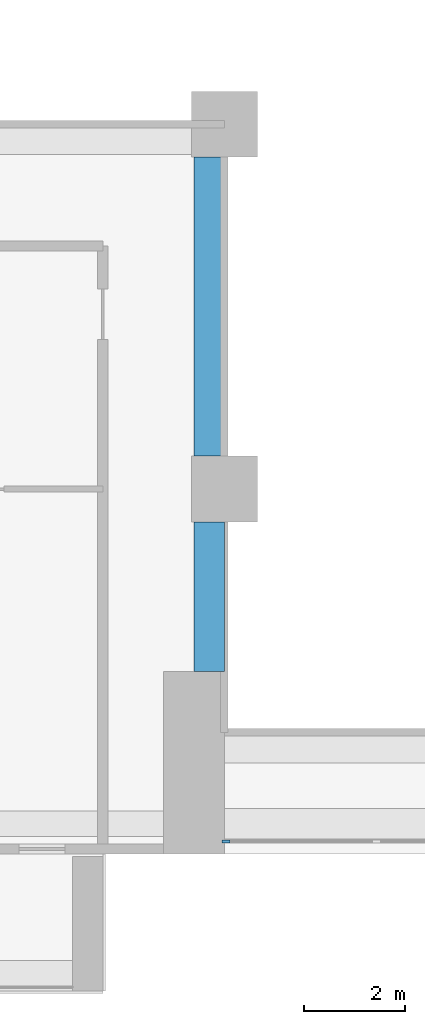
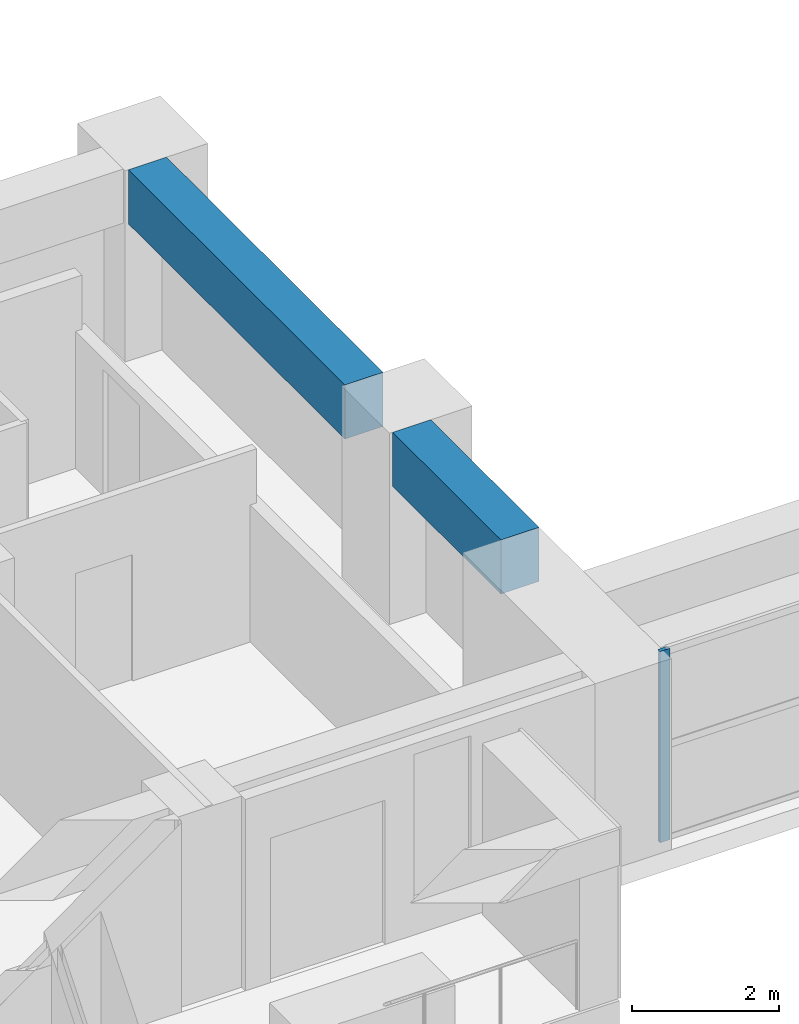
# One storey, part 2 of 17: 2 beams, 1 member, 1 element without a shape of its own.
"""IFC4 building model written with IfcOpenShell, lengths in metres."""

import ifcopenshell
import ifcopenshell.guid

model = None  # the IFC model being written
_history = None  # IfcOwnerHistory: only IFC2X3 demands one
_inside = {}  # id of a spatial element -> (the spatial element, [elements in it])
_under = {}  # id of a project, library or spatial element -> (it, [spatial elements below it])
_declared = {}  # id of a project -> (the project, [libraries it declares])
_typed = {}  # id of a type object -> (the type object, [elements of that type])
_made_of = {}  # id of a material, layer set ... -> (it, [elements and type objects made of it])


def new_model(schema):
    """Start an empty IFC model of exactly this schema.

    Asked for "IFC4X3", IfcOpenShell would pick the latest addendum, in which some entities
    have other attributes; the version numbers below select the first issue.
    IFC2X3 requires an IfcOwnerHistory on every rooted entity: one is made here for all.
    """
    global model, _history
    if schema == "IFC4X3":
        model = ifcopenshell.file(schema_version=(4, 3, 0, 0))
    else:
        model = ifcopenshell.file(schema=schema)
    _inside.clear()
    _under.clear()
    _declared.clear()
    _typed.clear()
    _made_of.clear()
    _history = None
    if model.schema == "IFC2X3":
        org = make("IfcOrganization", Name="unknown")
        user = make(
            "IfcPersonAndOrganization",
            ThePerson=make("IfcPerson", FamilyName="unknown"),
            TheOrganization=org,
        )
        app = make(
            "IfcApplication",
            ApplicationDeveloper=org,
            Version="unknown",
            ApplicationFullName="unknown",
            ApplicationIdentifier="unknown",
        )
        _history = make(
            "IfcOwnerHistory",
            OwningUser=user,
            OwningApplication=app,
            ChangeAction="ADDED",
            CreationDate=0,
        )
    return model


def make(cls, **values):
    """One entity of the class cls with the attributes given. An attribute that is None is left unset."""
    return model.create_entity(
        cls, **{name: value for name, value in values.items() if value is not None}
    )


def rooted(cls, **values):
    """An entity with a GlobalId (a new one), such as an element, a storey or a relation."""
    return make(cls, GlobalId=ifcopenshell.guid.new(), OwnerHistory=_history, **values)


def si_unit(unit_type, name, prefix=None):
    """IfcSIUnit, for example si_unit("LENGTHUNIT", "METRE", prefix="MILLI")."""
    return make("IfcSIUnit", UnitType=unit_type, Prefix=prefix, Name=name)


def assignment(units):
    """IfcUnitAssignment: the units of a project."""
    return None if units is None else make("IfcUnitAssignment", Units=units)


def point(xyz):
    """IfcCartesianPoint."""
    return None if xyz is None else make("IfcCartesianPoint", Coordinates=xyz)


def direction(xyz):
    """IfcDirection."""
    return None if xyz is None else make("IfcDirection", DirectionRatios=xyz)


def frame(location, z_axis=None, x_axis=None):
    """IfcAxis2Placement3D, a coordinate frame: its origin and axes. An axis left out is left unset."""
    return make(
        "IfcAxis2Placement3D",
        Location=point(location),
        Axis=direction(z_axis),
        RefDirection=direction(x_axis),
    )


def frame_2d(location, x_axis=None):
    """IfcAxis2Placement2D, a coordinate frame in the plane: its origin and x axis."""
    return make(
        "IfcAxis2Placement2D", Location=point(location), RefDirection=direction(x_axis)
    )


def origin():
    """The frame at (0, 0, 0) with its axes left unset."""
    return frame((0.0, 0.0, 0.0))


def origin_2d():
    """The frame at (0, 0) in the plane with its x axis left unset."""
    return frame_2d((0.0, 0.0))


def place(relative_to, where):
    """IfcLocalPlacement: puts the frame where relative to a parent placement (None: the world)."""
    return make(
        "IfcLocalPlacement", PlacementRelTo=relative_to, RelativePlacement=where
    )


def context(
    kind, dimensions, precision=None, world=None, true_north=None, identifier=None
):
    """IfcGeometricRepresentationContext, for example the 3D "Model" context."""
    return make(
        "IfcGeometricRepresentationContext",
        ContextIdentifier=identifier,
        ContextType=kind,
        CoordinateSpaceDimension=dimensions,
        Precision=precision,
        WorldCoordinateSystem=world,
        TrueNorth=true_north,
    )


def subcontext(parent, identifier, kind, view, scale=None):
    """IfcGeometricRepresentationSubContext, for example "Body" below "Model"."""
    return make(
        "IfcGeometricRepresentationSubContext",
        ContextIdentifier=identifier,
        ContextType=kind,
        ParentContext=parent,
        TargetScale=scale,
        TargetView=view,
    )


def project(units=None, contexts=None):
    """IfcProject with its units and contexts."""
    return rooted(
        "IfcProject",
        Name="project",
        RepresentationContexts=contexts,
        UnitsInContext=assignment(units),
    )


def spatial(cls, under=None, at=None, **own):
    """A site, building, storey or space (cls), placed at a placement, below another one or the project."""
    s = rooted(cls, ObjectPlacement=at, **own)
    if under is not None:
        _under.setdefault(under.id(), (under, []))[1].append(s)
    return s


def profile(cls, at=None, kind="AREA", **sizes):
    """A parametric profile (cls). Its sizes go by their IFC names, for example OverallWidth=200.0."""
    return make(cls, ProfileType=kind, Position=at, **sizes)


def rectangle(**sizes):
    """IfcRectangleProfileDef."""
    return profile("IfcRectangleProfileDef", **sizes)


def extrude(swept, where, along, depth):
    """IfcExtrudedAreaSolid: the profile swept, set in the frame where, extruded along a direction by depth."""
    return make(
        "IfcExtrudedAreaSolid",
        SweptArea=swept,
        Position=where,
        ExtrudedDirection=direction(along),
        Depth=depth,
    )


def shape(context_of_items, identifier, shape_type, items):
    """IfcShapeRepresentation: the items that make up one representation, for example the "Body"."""
    return make(
        "IfcShapeRepresentation",
        ContextOfItems=context_of_items,
        RepresentationIdentifier=identifier,
        RepresentationType=shape_type,
        Items=items,
    )


def source(mapping_origin, context_of_items, identifier, shape_type, items):
    """IfcRepresentationMap: a shape defined once, which mapped items show again and again."""
    return make(
        "IfcRepresentationMap",
        MappingOrigin=mapping_origin,
        MappedRepresentation=shape(context_of_items, identifier, shape_type, items),
    )


def transform(
    local_origin,
    x_axis=None,
    y_axis=None,
    z_axis=None,
    scale=None,
    scale2=None,
    scale3=None,
    uniform=True,
):
    """IfcCartesianTransformationOperator3D, or its non-uniform kind. x_axis, y_axis, z_axis: its Axis1, 2, 3."""
    if uniform:
        return make(
            "IfcCartesianTransformationOperator3D",
            Axis1=direction(x_axis),
            Axis2=direction(y_axis),
            LocalOrigin=point(local_origin),
            Scale=scale,
            Axis3=direction(z_axis),
        )
    return make(
        "IfcCartesianTransformationOperator3DnonUniform",
        Axis1=direction(x_axis),
        Axis2=direction(y_axis),
        LocalOrigin=point(local_origin),
        Scale=scale,
        Axis3=direction(z_axis),
        Scale2=scale2,
        Scale3=scale3,
    )


def mapped(mapping_source, mapping_target):
    """IfcMappedItem: shows the shape of a source again, moved by a transform."""
    return make(
        "IfcMappedItem", MappingSource=mapping_source, MappingTarget=mapping_target
    )


def material(Name=None, Category=None):
    """IfcMaterial."""
    return make("IfcMaterial", Name=Name, Category=Category)


def layer(
    of_material, thickness, ventilated=None, Name=None, Category=None, Priority=None
):
    """IfcMaterialLayer: one layer of a wall or slab, of a material (None: an air gap)."""
    return make(
        "IfcMaterialLayer",
        Material=of_material,
        LayerThickness=thickness,
        IsVentilated=ventilated,
        Name=Name,
        Category=Category,
        Priority=Priority,
    )


def layer_set(layers, Name=None):
    """IfcMaterialLayerSet."""
    return make("IfcMaterialLayerSet", MaterialLayers=layers, LayerSetName=Name)


def material_profile(
    of_material, cross_section, Name=None, Category=None, Priority=None
):
    """IfcMaterialProfile: a cross section and its material."""
    return make(
        "IfcMaterialProfile",
        Name=Name,
        Material=of_material,
        Profile=cross_section,
        Priority=Priority,
        Category=Category,
    )


def profile_set(profiles, Name=None, composite=None):
    """IfcMaterialProfileSet."""
    return make(
        "IfcMaterialProfileSet",
        Name=Name,
        MaterialProfiles=profiles,
        CompositeProfile=composite,
    )


def made_of(thing, what):
    """Note that an element or type object is made of a material, layer set ...; save() writes the relation."""
    if what is not None:
        _made_of.setdefault(what.id(), (what, []))[1].append(thing)
    return thing


def type_object(cls, material=None, **own):
    """A type object (cls), such as IfcWallType, which elements share."""
    return made_of(rooted(cls, **own), material)


def element(
    cls,
    number,
    at=None,
    inside=None,
    cuts=None,
    type_object=None,
    material=None,
    context=None,
    identifier="Body",
    shape_type=None,
    held_by="IfcProductDefinitionShape",
    body=None,
    shapes=None,
    **own,
):
    """One element of the class cls, such as IfcWall. Its Tag is "e" and its number.

    at: its placement. inside: the storey or other place that contains it. cuts: it is an
    opening in that element (IfcRelVoidsElement). A single representation is given by context,
    identifier, shape_type and body (its items); several are given by shapes. held_by: the class
    of the entity that holds the representations. save() writes the other relations.
    """
    e = rooted(cls, Tag="e%d" % number, ObjectPlacement=at, **own)
    if body is not None:
        shapes = [shape(context, identifier, shape_type, body)]
    if shapes is not None:
        e.Representation = make(held_by, Representations=shapes)
    if inside is not None:
        _inside.setdefault(inside.id(), (inside, []))[1].append(e)
    if cuts is not None:
        rooted(
            "IfcRelVoidsElement", RelatingBuildingElement=cuts, RelatedOpeningElement=e
        )
    if type_object is not None:
        _typed.setdefault(type_object.id(), (type_object, []))[1].append(e)
    return made_of(e, material)


def aggregate(whole, parts):
    """IfcRelAggregates: a whole, such as a stair, and the parts it consists of."""
    return rooted("IfcRelAggregates", RelatingObject=whole, RelatedObjects=parts)


def save(model, path):
    """Write the relations noted so far, then the file.

    IfcRelAggregates (storeys below a building ...), IfcRelContainedInSpatialStructure (elements
    in a storey), IfcRelDefinesByType, IfcRelAssociatesMaterial and IfcRelDeclares: one each for
    every whole, place, type object, material and project.
    """
    for whole, parts in _under.values():
        aggregate(whole, parts)
    for where, things in _inside.values():
        rooted(
            "IfcRelContainedInSpatialStructure",
            RelatedElements=things,
            RelatingStructure=where,
        )
    for kind, things in _typed.values():
        rooted("IfcRelDefinesByType", RelatedObjects=things, RelatingType=kind)
    for what, things in _made_of.values():
        rooted("IfcRelAssociatesMaterial", RelatedObjects=things, RelatingMaterial=what)
    for by, libraries in _declared.values():
        rooted("IfcRelDeclares", RelatingContext=by, RelatedDefinitions=libraries)
    model.write(path)


model = new_model("IFC4")

# Units and contexts
model_context = context("Model", 3, precision=1e-05, world=origin(), true_north=direction((0.0, 1.0)))
body_context = subcontext(model_context, "Body", "Model", "MODEL_VIEW")
ifc_project = project(units=[si_unit("LENGTHUNIT", "METRE"), si_unit("AREAUNIT", "SQUARE_METRE"), si_unit("VOLUMEUNIT", "CUBIC_METRE"), si_unit("PLANEANGLEUNIT", "RADIAN"), si_unit("MASSUNIT", "GRAM", prefix="KILO")], contexts=[model_context])

# Site, building, storey
site_placement = place(None, origin())
site = spatial("IfcSite", under=ifc_project, at=site_placement, CompositionType="ELEMENT")
building_placement = place(site_placement, origin())
building = spatial("IfcBuilding", under=site, at=building_placement, Name="Saffron Iwan Residences", CompositionType="ELEMENT")
storey_placement = place(building_placement, frame((0.0, 0.0, 62.0)))
storey = spatial("IfcBuildingStorey", under=building, at=storey_placement, Name="L15", CompositionType="ELEMENT", Elevation=62.0)

# Beams
ifc_material_1 = material(Name="Concrete C60/75", Category="concrete")
ifc_material_profile_1 = material_profile(ifc_material_1, rectangle(XDim=0.60009765625, YDim=0.89990234375, at=origin_2d()), Name="RC 600x900")
ifc_profile_set_1 = profile_set([ifc_material_profile_1], Name="Concrete C60/75")
beam_type = type_object("IfcBeamType", Name="BEAM RC 600x900 C60/75 TOP 3180", PredefinedType="BEAM", material=ifc_profile_set_1)
shared_shape_1 = source(origin(), body_context, "Body", "SweptSolid", [
    extrude(rectangle(XDim=0.60009765625, YDim=0.89990234375, at=origin_2d()), origin(), (0.0, 0.0, 1.0), 2.949951171875),
])
beam_1_placement = place(storey_placement, frame((42.89990234375, 37.199951171875, 2.72998046875), z_axis=(0.0, 1.0, 0.0), x_axis=(-1.0, 0.0, 0.0)))
element("IfcBeam", 1, at=beam_1_placement, inside=storey, type_object=beam_type, Name="Atrium edge beam", PredefinedType="BEAM", context=body_context, shape_type="MappedRepresentation", body=[
    mapped(shared_shape_1, transform((0.0, 0.0, 0.0))),
])
shared_shape_2 = source(origin(), body_context, "Body", "SweptSolid", [
    extrude(rectangle(XDim=0.60009765625, YDim=0.89990234375, at=origin_2d()), origin(), (0.0, 0.0, 1.0), 5.900146484375),
])
beam_2_placement = place(storey_placement, frame((42.89990234375, 41.449951171875, 2.72998046875), z_axis=(0.0, 1.0, 0.0), x_axis=(-1.0, 0.0, 0.0)))
element("IfcBeam", 2, at=beam_2_placement, inside=storey, type_object=beam_type, Name="Atrium edge beam", PredefinedType="BEAM", context=body_context, shape_type="MappedRepresentation", body=[
    mapped(shared_shape_2, transform((0.0, 0.0, 0.0))),
])

# Curtain wall, member
ifc_material_2 = material(Name="Clear glass, laminated double glazed", Category="glass")
ifc_layer = layer(ifc_material_2, 0.199951171875)
ifc_layer_set = layer_set([ifc_layer], Name="Clear glass, laminated double glazed")
curtain_wall_type = type_object("IfcCurtainWallType", Name="CW-B IWAN PORTAL", PredefinedType="NOTDEFINED", material=ifc_layer_set)
curtain_wall_placement = place(storey_placement, origin())
curtain_wall = element("IfcCurtainWall", 3, at=curtain_wall_placement, inside=storey, type_object=curtain_wall_type, Name="Iwan portal glazing L15.1", PredefinedType="NOTDEFINED")
ifc_material_3 = material(Name="Aluminium 6063-T6", Category="aluminium")
ifc_material_profile_2 = material_profile(ifc_material_3, rectangle(XDim=0.06005859375, YDim=0.159912109375, at=origin_2d()), Name="CW-B MULLION 60 x 160")
ifc_profile_set_2 = profile_set([ifc_material_profile_2], Name="Aluminium 6063-T6")
member_type = type_object("IfcMemberType", Name="CW-B MULLION 60 x 160", PredefinedType="MULLION", material=ifc_profile_set_2)
shared_shape_3 = source(origin(), body_context, "Body", "SweptSolid", [
    extrude(rectangle(XDim=0.06005859375, YDim=0.159912109375, at=origin_2d()), origin(), (0.0, 0.0, 1.0), 3.179931640625),
])
member_placement = place(storey_placement, frame((43.22998046875, 33.85009765625, 0.0), z_axis=(0.0, 0.0, 1.0), x_axis=(0.0, 1.0, 0.0)))
member = element("IfcMember", 4, at=member_placement, type_object=member_type, Name="CW-B mullion 1", PredefinedType="MULLION", context=body_context, shape_type="MappedRepresentation", body=[
    mapped(shared_shape_3, transform((0.0, 0.0, 0.0))),
])
aggregate(curtain_wall, [member])

save(model, "model.ifc")
